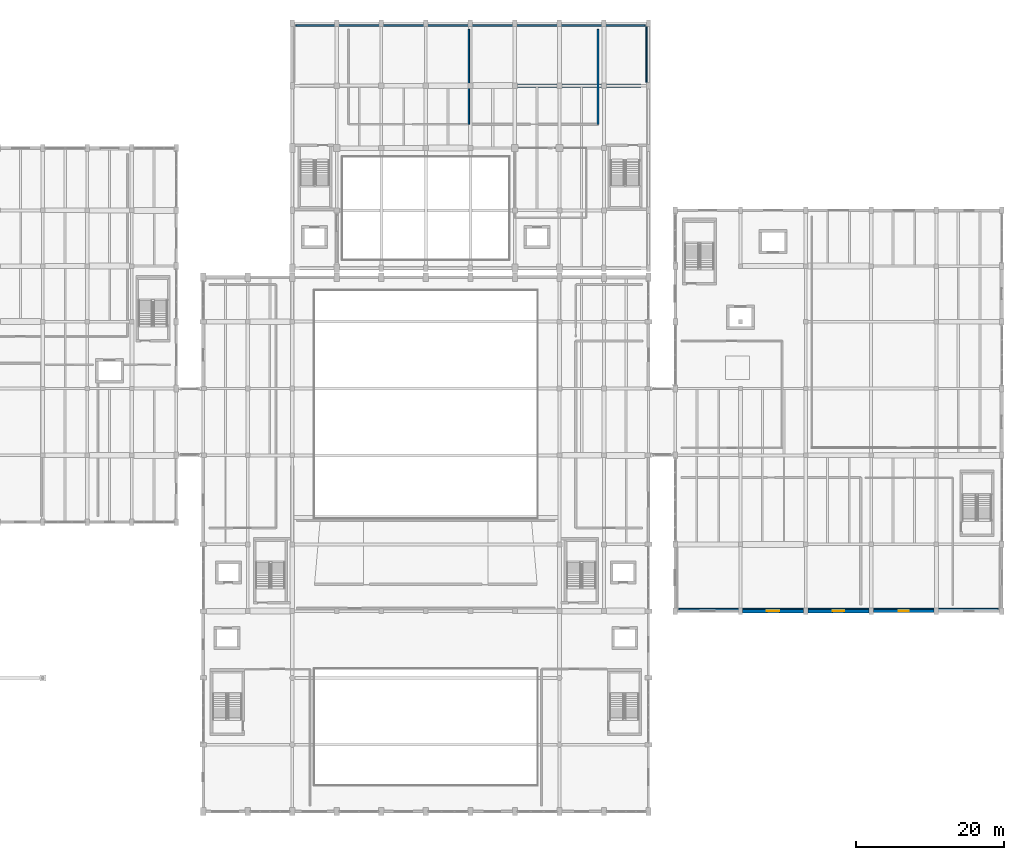
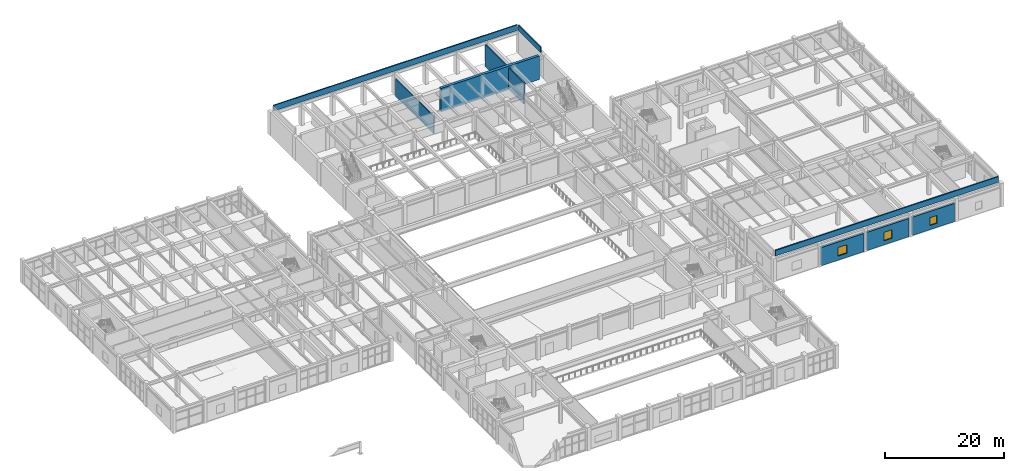
# One storey, part 66 of 85: 9 walls, 3 windows, 3 openings.
"""IFC4 building model written with IfcOpenShell, lengths in metres."""

from ifc_helpers import new_model, si_unit, direction, frame, frame_2d, origin, place, context, subcontext, project, spatial, rectangle, extrude, material, layer, layer_set, type_object, element, fill, save


model = new_model("IFC4")

# Units and contexts
model_context = context("Model", 3, precision=1e-05, world=origin(), true_north=direction((0.0, 1.0)))
body_context = subcontext(model_context, "Body", "Model", "MODEL_VIEW")
ifc_project = project(units=[si_unit("LENGTHUNIT", "METRE"), si_unit("AREAUNIT", "SQUARE_METRE"), si_unit("VOLUMEUNIT", "CUBIC_METRE"), si_unit("PLANEANGLEUNIT", "RADIAN"), si_unit("MASSUNIT", "GRAM", prefix="KILO")], contexts=[model_context])

# Site, building, storey
site_placement = place(None, origin())
site = spatial("IfcSite", under=ifc_project, at=site_placement, CompositionType="ELEMENT")
building_placement = place(site_placement, origin())
building = spatial("IfcBuilding", under=site, at=building_placement, Name="Vaelkrest Opera House", CompositionType="ELEMENT")
storey_placement = place(building_placement, frame((0.0, 0.0, 10.199951171875)))
storey = spatial("IfcBuildingStorey", under=building, at=storey_placement, Name="L02", CompositionType="ELEMENT", Elevation=10.199951171875)

# Wall, opening, window
ifc_material_1 = material(Name="Concrete C40/50", Category="concrete")
ifc_layer_1 = layer(ifc_material_1, 0.409912109375)
ifc_layer_set_1 = layer_set([ifc_layer_1], Name="Concrete C40/50")
wall_type_1 = type_object("IfcWallType", Name="EW08", PredefinedType="STANDARD", material=ifc_layer_set_1)
wall_1_placement = place(storey_placement, frame((68.501953125, -28.800048828125, 0.0), z_axis=(0.0, 0.0, 1.0), x_axis=(-1.0, 0.0, 0.0)))
wall_1 = element("IfcWall", 1, at=wall_1_placement, inside=storey, type_object=wall_type_1, Name="Exterior facade wall EW-V4-L02-0248", PredefinedType="STANDARD", context=body_context, shape_type="SweptSolid", body=[
    extrude(rectangle(XDim=8.203857421875, YDim=0.409912109375, at=frame_2d((4.10205078125, 0.0))), origin(), (0.0, 0.0, 1.0), 3.7451171875),
])
opening_1_placement = place(wall_1_placement, frame((3.402099609375, 0.0, 0.85009765625)))
opening_1 = element("IfcOpeningElement", 2, at=opening_1_placement, cuts=wall_1, Name="Opening WN133", PredefinedType="OPENING", context=body_context, shape_type="SweptSolid", body=[
    extrude(rectangle(XDim=1.39990234375, YDim=1.60009765625, at=frame_2d((0.699951171875, 0.800048828125))), frame((0.0, 0.21484375, 0.0), z_axis=(0.0, -1.0, 0.0), x_axis=(1.0, 0.0, 0.0)), (0.0, 0.0, 1.0), 0.429931640625),
])
ifc_material_2 = material(Name="Double low-E insulated glazing", Category="glass")
window_type_1 = type_object("IfcWindowType", Name="WT03", PartitioningType="SINGLE_PANEL", PredefinedType="WINDOW", material=ifc_material_2)
window_1_placement = place(opening_1_placement, origin())
window_1 = element("IfcWindow", 3, at=window_1_placement, inside=storey, type_object=window_type_1, Name="Facade window WN133", OverallHeight=1.60009765625, OverallWidth=1.39990234375, PartitioningType="SINGLE_PANEL", PredefinedType="WINDOW", context=body_context, shape_type="SweptSolid", body=[
    extrude(rectangle(XDim=1.39990234375, YDim=1.60009765625, at=frame_2d((0.699951171875, 0.800048828125))), frame((0.0, 0.030029296875, 0.0), z_axis=(0.0, -1.0, 0.0), x_axis=(1.0, 0.0, 0.0)), (0.0, 0.0, 1.0), 0.06005859375),
])
fill(opening_1, window_1)

ifc_layer_2 = layer(ifc_material_1, 0.43505859375)
ifc_layer_set_2 = layer_set([ifc_layer_2], Name="Concrete C40/50")
wall_type_2 = type_object("IfcWallType", Name="EW09", PredefinedType="STANDARD", material=ifc_layer_set_2)
wall_2_placement = place(storey_placement, frame((59.701904296875, -28.800048828125, 0.0), z_axis=(0.0, 0.0, 1.0), x_axis=(-1.0, 0.0, 0.0)))
wall_2 = element("IfcWall", 4, at=wall_2_placement, inside=storey, type_object=wall_type_2, Name="Exterior facade wall EW-V4-L02-0249", PredefinedType="STANDARD", context=body_context, shape_type="SweptSolid", body=[
    extrude(rectangle(XDim=8.203857421875, YDim=0.43505859375, at=frame_2d((4.10205078125, 0.0))), origin(), (0.0, 0.0, 1.0), 3.7451171875),
])
opening_2_placement = place(wall_2_placement, frame((3.326904296875, 0.0, 0.85009765625)))
opening_2 = element("IfcOpeningElement", 5, at=opening_2_placement, cuts=wall_2, Name="Opening WN134", PredefinedType="OPENING", context=body_context, shape_type="SweptSolid", body=[
    extrude(rectangle(XDim=1.550048828125, YDim=1.75, at=frame_2d((0.77490234375, 0.875))), frame((0.0, 0.2275390625, 0.0), z_axis=(0.0, -1.0, 0.0), x_axis=(1.0, 0.0, 0.0)), (0.0, 0.0, 1.0), 0.455078125),
])
window_type_2 = type_object("IfcWindowType", Name="WT04", PartitioningType="SINGLE_PANEL", PredefinedType="WINDOW", material=ifc_material_2)
window_2_placement = place(opening_2_placement, origin())
window_2 = element("IfcWindow", 6, at=window_2_placement, inside=storey, type_object=window_type_2, Name="Facade window WN134", OverallHeight=1.75, OverallWidth=1.550048828125, PartitioningType="SINGLE_PANEL", PredefinedType="WINDOW", context=body_context, shape_type="SweptSolid", body=[
    extrude(rectangle(XDim=1.550048828125, YDim=1.75, at=frame_2d((0.77490234375, 0.875))), frame((0.0, 0.030029296875, 0.0), z_axis=(0.0, -1.0, 0.0), x_axis=(1.0, 0.0, 0.0)), (0.0, 0.0, 1.0), 0.06005859375),
])
fill(opening_2, window_2)

ifc_layer_3 = layer(ifc_material_1, 0.465087890625)
ifc_layer_set_3 = layer_set([ifc_layer_3], Name="Concrete C40/50")
wall_type_3 = type_object("IfcWallType", Name="EW10", PredefinedType="STANDARD", material=ifc_layer_set_3)
wall_3_placement = place(storey_placement, frame((50.902099609375, -28.800048828125, 0.0), z_axis=(0.0, 0.0, 1.0), x_axis=(-1.0, 0.0, 0.0)))
wall_3 = element("IfcWall", 7, at=wall_3_placement, inside=storey, type_object=wall_type_3, Name="Exterior facade wall EW-V4-L02-0250", PredefinedType="STANDARD", context=body_context, shape_type="SweptSolid", body=[
    extrude(rectangle(XDim=8.2041015625, YDim=0.465087890625, at=frame_2d((4.10205078125, 0.0))), origin(), (0.0, 0.0, 1.0), 3.7451171875),
])
opening_3_placement = place(wall_3_placement, frame((3.251953125, 0.0, 0.85009765625)))
opening_3 = element("IfcOpeningElement", 8, at=opening_3_placement, cuts=wall_3, Name="Opening WN135", PredefinedType="OPENING", context=body_context, shape_type="SweptSolid", body=[
    extrude(rectangle(XDim=1.699951171875, YDim=1.75, at=frame_2d((0.85009765625, 0.875))), frame((0.0, 0.242431640625, 0.0), z_axis=(0.0, -1.0, 0.0), x_axis=(1.0, 0.0, 0.0)), (0.0, 0.0, 1.0), 0.485107421875),
])
window_type_3 = type_object("IfcWindowType", Name="WT05", PartitioningType="SINGLE_PANEL", PredefinedType="WINDOW", material=ifc_material_2)
window_3_placement = place(opening_3_placement, origin())
window_3 = element("IfcWindow", 9, at=window_3_placement, inside=storey, type_object=window_type_3, Name="Facade window WN135", OverallHeight=1.75, OverallWidth=1.699951171875, PartitioningType="SINGLE_PANEL", PredefinedType="WINDOW", context=body_context, shape_type="SweptSolid", body=[
    extrude(rectangle(XDim=1.699951171875, YDim=1.75, at=frame_2d((0.85009765625, 0.875))), frame((0.0, 0.030029296875, 0.0), z_axis=(0.0, -1.0, 0.0), x_axis=(1.0, 0.0, 0.0)), (0.0, 0.0, 1.0), 0.06005859375),
])
fill(opening_3, window_3)

# Walls
ifc_layer_4 = layer(ifc_material_1, 0.22998046875)
ifc_layer_set_4 = layer_set([ifc_layer_4], Name="Concrete C40/50")
wall_type_4 = type_object("IfcWallType", Name="PP02", PredefinedType="PARAPET", material=ifc_layer_set_4)
wall_4_placement = place(storey_placement, frame((34.050048828125, -28.550048828125, 4.800048828125), z_axis=(0.0, 0.0, 1.0), x_axis=(1.0, 0.0, 0.0)))
element("IfcWall", 10, at=wall_4_placement, inside=storey, type_object=wall_type_4, Name="Roof parapet 14", PredefinedType="PARAPET", context=body_context, shape_type="SweptSolid", body=[
    extrude(rectangle(XDim=43.099853515625, YDim=0.22998046875, at=frame_2d((21.5498046875, 0.0))), origin(), (0.0, 0.0, 1.0), 1.14990234375),
])
wall_5_placement = place(storey_placement, frame((29.75, 42.449951171875, 4.800048828125), z_axis=(0.0, 0.0, 1.0), x_axis=(0.0, 1.0, 0.0)))
element("IfcWall", 11, at=wall_5_placement, inside=storey, type_object=wall_type_4, Name="Roof parapet 20", PredefinedType="PARAPET", context=body_context, shape_type="SweptSolid", body=[
    extrude(rectangle(XDim=7.5, YDim=0.22998046875, at=frame_2d((3.75, 0.0))), origin(), (0.0, 0.0, 1.0), 1.14990234375),
])
wall_6_placement = place(storey_placement, frame((29.550048828125, 50.14990234375, 4.800048828125), z_axis=(0.0, 0.0, 1.0), x_axis=(-1.0, 0.0, 0.0)))
element("IfcWall", 12, at=wall_6_placement, inside=storey, type_object=wall_type_4, Name="Roof parapet 21", PredefinedType="PARAPET", context=body_context, shape_type="SweptSolid", body=[
    extrude(rectangle(XDim=47.10009765625, YDim=0.22998046875, at=frame_2d((23.550048828125, 0.0))), origin(), (0.0, 0.0, 1.0), 1.14990234375),
])
ifc_material_3 = material(Name="Gypsum acoustic board", Category="gypsum")
ifc_layer_5 = layer(ifc_material_3, 0.195068359375)
ifc_layer_set_5 = layer_set([ifc_layer_5], Name="Gypsum acoustic board")
wall_type_5 = type_object("IfcWallType", Name="PT06", PredefinedType="PARTITIONING", material=ifc_layer_set_5)
wall_7_placement = place(storey_placement, frame((5.800048828125, 36.800048828125, 0.0), z_axis=(0.0, 0.0, 1.0), x_axis=(0.0, 1.0, 0.0)))
element("IfcWall", 13, at=wall_7_placement, inside=storey, type_object=wall_type_5, Name="Interior partition PT-V2-L02-0202", PredefinedType="PARTITIONING", context=body_context, shape_type="SweptSolid", body=[
    extrude(rectangle(XDim=12.800048828125, YDim=0.195068359375, at=frame_2d((6.39990234375, 0.0))), origin(), (0.0, 0.0, 1.0), 3.590087890625),
])
ifc_layer_6 = layer(ifc_material_1, 0.260009765625)
ifc_layer_set_6 = layer_set([ifc_layer_6], Name="Concrete C40/50")
wall_type_6 = type_object("IfcWallType", Name="PT10", PredefinedType="PARTITIONING", material=ifc_layer_set_6)
wall_8_placement = place(storey_placement, frame((23.199951171875, 36.800048828125, 0.0), z_axis=(0.0, 0.0, 1.0), x_axis=(0.0, 1.0, 0.0)))
element("IfcWall", 14, at=wall_8_placement, inside=storey, type_object=wall_type_6, Name="Interior partition PT-V2-L02-0204", PredefinedType="PARTITIONING", context=body_context, shape_type="SweptSolid", body=[
    extrude(rectangle(XDim=12.800048828125, YDim=0.260009765625, at=frame_2d((6.39990234375, 0.0))), origin(), (0.0, 0.0, 1.0), 4.420166015625),
])
ifc_material_4 = material(Name="Concrete C50/60", Category="concrete")
ifc_layer_7 = layer(ifc_material_4, 0.52001953125)
ifc_layer_set_7 = layer_set([ifc_layer_7], Name="Concrete C50/60")
wall_type_7 = type_object("IfcWallType", Name="SW04", PredefinedType="SHEAR", material=ifc_layer_set_7)
wall_9_placement = place(storey_placement, frame((10.0, 42.0, 0.0), z_axis=(0.0, 0.0, 1.0), x_axis=(1.0, 0.0, 0.0)))
element("IfcWall", 15, at=wall_9_placement, inside=storey, type_object=wall_type_7, Name="Fly tower north shear wall L02 E", PredefinedType="SHEAR", context=body_context, shape_type="SweptSolid", body=[
    extrude(rectangle(XDim=19.0, YDim=0.52001953125, at=frame_2d((9.5, 0.0))), origin(), (0.0, 0.0, 1.0), 4.800048828125),
])

save(model, "model.ifc")
